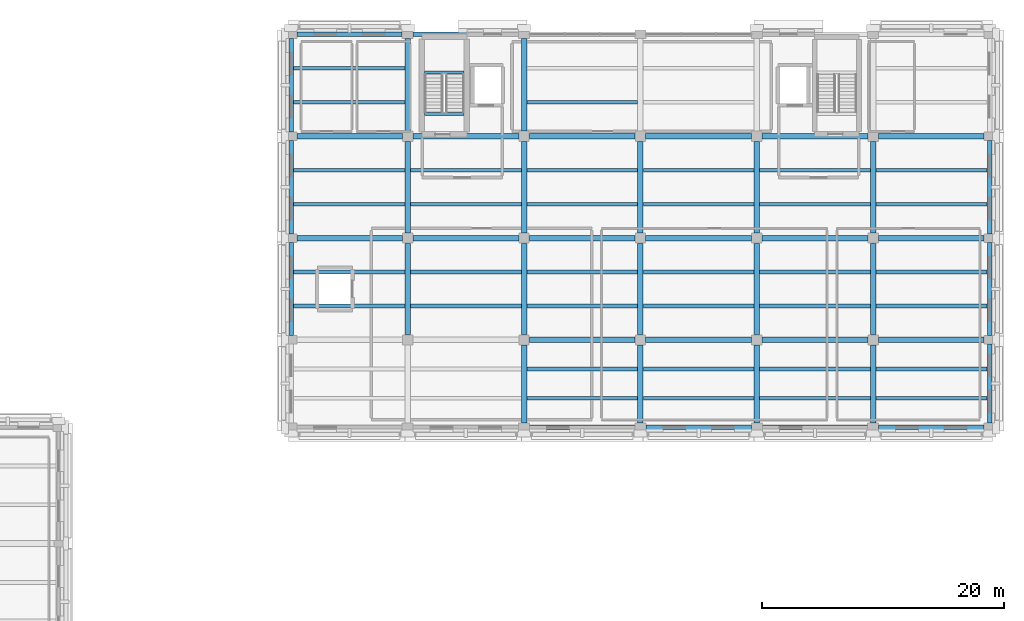
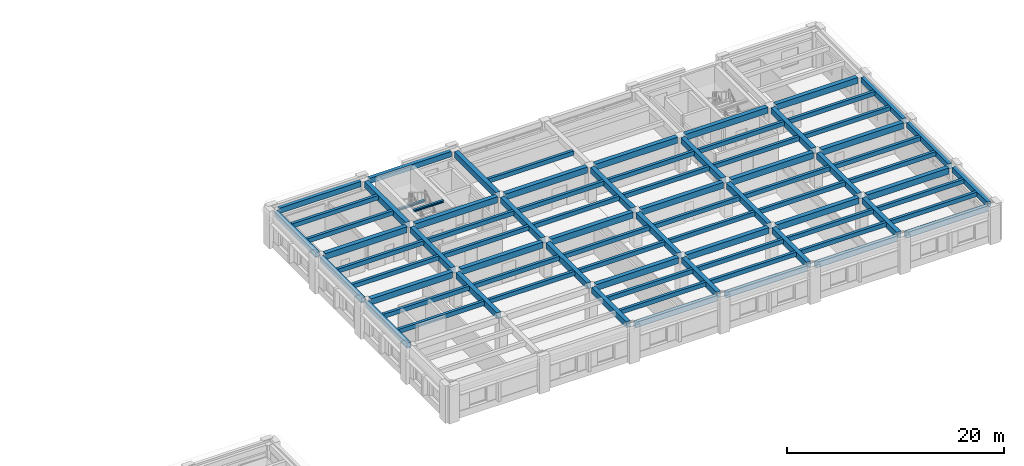
# One storey, part 3 of 17: 81 beams.
"""IFC4 building model written with IfcOpenShell, lengths in metres."""

import ifcopenshell
import ifcopenshell.guid

model = None  # the IFC model being written
_history = None  # IfcOwnerHistory: only IFC2X3 demands one
_inside = {}  # id of a spatial element -> (the spatial element, [elements in it])
_under = {}  # id of a project, library or spatial element -> (it, [spatial elements below it])
_declared = {}  # id of a project -> (the project, [libraries it declares])
_typed = {}  # id of a type object -> (the type object, [elements of that type])
_made_of = {}  # id of a material, layer set ... -> (it, [elements and type objects made of it])


def new_model(schema):
    """Start an empty IFC model of exactly this schema.

    Asked for "IFC4X3", IfcOpenShell would pick the latest addendum, in which some entities
    have other attributes; the version numbers below select the first issue.
    IFC2X3 requires an IfcOwnerHistory on every rooted entity: one is made here for all.
    """
    global model, _history
    if schema == "IFC4X3":
        model = ifcopenshell.file(schema_version=(4, 3, 0, 0))
    else:
        model = ifcopenshell.file(schema=schema)
    _inside.clear()
    _under.clear()
    _declared.clear()
    _typed.clear()
    _made_of.clear()
    _history = None
    if model.schema == "IFC2X3":
        org = make("IfcOrganization", Name="unknown")
        user = make(
            "IfcPersonAndOrganization",
            ThePerson=make("IfcPerson", FamilyName="unknown"),
            TheOrganization=org,
        )
        app = make(
            "IfcApplication",
            ApplicationDeveloper=org,
            Version="unknown",
            ApplicationFullName="unknown",
            ApplicationIdentifier="unknown",
        )
        _history = make(
            "IfcOwnerHistory",
            OwningUser=user,
            OwningApplication=app,
            ChangeAction="ADDED",
            CreationDate=0,
        )
    return model


def make(cls, **values):
    """One entity of the class cls with the attributes given. An attribute that is None is left unset."""
    return model.create_entity(
        cls, **{name: value for name, value in values.items() if value is not None}
    )


def rooted(cls, **values):
    """An entity with a GlobalId (a new one), such as an element, a storey or a relation."""
    return make(cls, GlobalId=ifcopenshell.guid.new(), OwnerHistory=_history, **values)


def si_unit(unit_type, name, prefix=None):
    """IfcSIUnit, for example si_unit("LENGTHUNIT", "METRE", prefix="MILLI")."""
    return make("IfcSIUnit", UnitType=unit_type, Prefix=prefix, Name=name)


def assignment(units):
    """IfcUnitAssignment: the units of a project."""
    return None if units is None else make("IfcUnitAssignment", Units=units)


def point(xyz):
    """IfcCartesianPoint."""
    return None if xyz is None else make("IfcCartesianPoint", Coordinates=xyz)


def direction(xyz):
    """IfcDirection."""
    return None if xyz is None else make("IfcDirection", DirectionRatios=xyz)


def frame(location, z_axis=None, x_axis=None):
    """IfcAxis2Placement3D, a coordinate frame: its origin and axes. An axis left out is left unset."""
    return make(
        "IfcAxis2Placement3D",
        Location=point(location),
        Axis=direction(z_axis),
        RefDirection=direction(x_axis),
    )


def frame_2d(location, x_axis=None):
    """IfcAxis2Placement2D, a coordinate frame in the plane: its origin and x axis."""
    return make(
        "IfcAxis2Placement2D", Location=point(location), RefDirection=direction(x_axis)
    )


def origin():
    """The frame at (0, 0, 0) with its axes left unset."""
    return frame((0.0, 0.0, 0.0))


def origin_2d():
    """The frame at (0, 0) in the plane with its x axis left unset."""
    return frame_2d((0.0, 0.0))


def place(relative_to, where):
    """IfcLocalPlacement: puts the frame where relative to a parent placement (None: the world)."""
    return make(
        "IfcLocalPlacement", PlacementRelTo=relative_to, RelativePlacement=where
    )


def context(
    kind, dimensions, precision=None, world=None, true_north=None, identifier=None
):
    """IfcGeometricRepresentationContext, for example the 3D "Model" context."""
    return make(
        "IfcGeometricRepresentationContext",
        ContextIdentifier=identifier,
        ContextType=kind,
        CoordinateSpaceDimension=dimensions,
        Precision=precision,
        WorldCoordinateSystem=world,
        TrueNorth=true_north,
    )


def subcontext(parent, identifier, kind, view, scale=None):
    """IfcGeometricRepresentationSubContext, for example "Body" below "Model"."""
    return make(
        "IfcGeometricRepresentationSubContext",
        ContextIdentifier=identifier,
        ContextType=kind,
        ParentContext=parent,
        TargetScale=scale,
        TargetView=view,
    )


def project(units=None, contexts=None):
    """IfcProject with its units and contexts."""
    return rooted(
        "IfcProject",
        Name="project",
        RepresentationContexts=contexts,
        UnitsInContext=assignment(units),
    )


def spatial(cls, under=None, at=None, **own):
    """A site, building, storey or space (cls), placed at a placement, below another one or the project."""
    s = rooted(cls, ObjectPlacement=at, **own)
    if under is not None:
        _under.setdefault(under.id(), (under, []))[1].append(s)
    return s


def profile(cls, at=None, kind="AREA", **sizes):
    """A parametric profile (cls). Its sizes go by their IFC names, for example OverallWidth=200.0."""
    return make(cls, ProfileType=kind, Position=at, **sizes)


def rectangle(**sizes):
    """IfcRectangleProfileDef."""
    return profile("IfcRectangleProfileDef", **sizes)


def i_section(**sizes):
    """IfcIShapeProfileDef."""
    return profile("IfcIShapeProfileDef", **sizes)


def extrude(swept, where, along, depth):
    """IfcExtrudedAreaSolid: the profile swept, set in the frame where, extruded along a direction by depth."""
    return make(
        "IfcExtrudedAreaSolid",
        SweptArea=swept,
        Position=where,
        ExtrudedDirection=direction(along),
        Depth=depth,
    )


def shape(context_of_items, identifier, shape_type, items):
    """IfcShapeRepresentation: the items that make up one representation, for example the "Body"."""
    return make(
        "IfcShapeRepresentation",
        ContextOfItems=context_of_items,
        RepresentationIdentifier=identifier,
        RepresentationType=shape_type,
        Items=items,
    )


def material(Name=None, Category=None):
    """IfcMaterial."""
    return make("IfcMaterial", Name=Name, Category=Category)


def material_profile(
    of_material, cross_section, Name=None, Category=None, Priority=None
):
    """IfcMaterialProfile: a cross section and its material."""
    return make(
        "IfcMaterialProfile",
        Name=Name,
        Material=of_material,
        Profile=cross_section,
        Priority=Priority,
        Category=Category,
    )


def profile_set(profiles, Name=None, composite=None):
    """IfcMaterialProfileSet."""
    return make(
        "IfcMaterialProfileSet",
        Name=Name,
        MaterialProfiles=profiles,
        CompositeProfile=composite,
    )


def made_of(thing, what):
    """Note that an element or type object is made of a material, layer set ...; save() writes the relation."""
    if what is not None:
        _made_of.setdefault(what.id(), (what, []))[1].append(thing)
    return thing


def type_object(cls, material=None, **own):
    """A type object (cls), such as IfcWallType, which elements share."""
    return made_of(rooted(cls, **own), material)


def element(
    cls,
    number,
    at=None,
    inside=None,
    cuts=None,
    type_object=None,
    material=None,
    context=None,
    identifier="Body",
    shape_type=None,
    held_by="IfcProductDefinitionShape",
    body=None,
    shapes=None,
    **own,
):
    """One element of the class cls, such as IfcWall. Its Tag is "e" and its number.

    at: its placement. inside: the storey or other place that contains it. cuts: it is an
    opening in that element (IfcRelVoidsElement). A single representation is given by context,
    identifier, shape_type and body (its items); several are given by shapes. held_by: the class
    of the entity that holds the representations. save() writes the other relations.
    """
    e = rooted(cls, Tag="e%d" % number, ObjectPlacement=at, **own)
    if body is not None:
        shapes = [shape(context, identifier, shape_type, body)]
    if shapes is not None:
        e.Representation = make(held_by, Representations=shapes)
    if inside is not None:
        _inside.setdefault(inside.id(), (inside, []))[1].append(e)
    if cuts is not None:
        rooted(
            "IfcRelVoidsElement", RelatingBuildingElement=cuts, RelatedOpeningElement=e
        )
    if type_object is not None:
        _typed.setdefault(type_object.id(), (type_object, []))[1].append(e)
    return made_of(e, material)


def aggregate(whole, parts):
    """IfcRelAggregates: a whole, such as a stair, and the parts it consists of."""
    return rooted("IfcRelAggregates", RelatingObject=whole, RelatedObjects=parts)


def save(model, path):
    """Write the relations noted so far, then the file.

    IfcRelAggregates (storeys below a building ...), IfcRelContainedInSpatialStructure (elements
    in a storey), IfcRelDefinesByType, IfcRelAssociatesMaterial and IfcRelDeclares: one each for
    every whole, place, type object, material and project.
    """
    for whole, parts in _under.values():
        aggregate(whole, parts)
    for where, things in _inside.values():
        rooted(
            "IfcRelContainedInSpatialStructure",
            RelatedElements=things,
            RelatingStructure=where,
        )
    for kind, things in _typed.values():
        rooted("IfcRelDefinesByType", RelatedObjects=things, RelatingType=kind)
    for what, things in _made_of.values():
        rooted("IfcRelAssociatesMaterial", RelatedObjects=things, RelatingMaterial=what)
    for by, libraries in _declared.values():
        rooted("IfcRelDeclares", RelatingContext=by, RelatedDefinitions=libraries)
    model.write(path)


model = new_model("IFC4")

# Units and contexts
model_context = context("Model", 3, precision=1e-05, world=origin(), true_north=direction((0.0, 1.0)))
body_context = subcontext(model_context, "Body", "Model", "MODEL_VIEW")
ifc_project = project(units=[si_unit("LENGTHUNIT", "METRE"), si_unit("AREAUNIT", "SQUARE_METRE"), si_unit("VOLUMEUNIT", "CUBIC_METRE"), si_unit("PLANEANGLEUNIT", "RADIAN"), si_unit("MASSUNIT", "GRAM", prefix="KILO")], contexts=[model_context])

# Site, building, storey
site_placement = place(None, origin())
site = spatial("IfcSite", under=ifc_project, at=site_placement, CompositionType="ELEMENT")
building_placement = place(site_placement, origin())
building = spatial("IfcBuilding", under=site, at=building_placement, Name="Bempovik Park Faculty of Sciences", CompositionType="ELEMENT")
storey_placement = place(building_placement, frame((0.0, 0.0, 22.5)))
storey = spatial("IfcBuildingStorey", under=building, at=storey_placement, Name="L05", CompositionType="ELEMENT", Elevation=22.5)

# Beams
ifc_material_1 = material(Name="Concrete C35/45", Category="concrete")
ifc_material_profile_1 = material_profile(ifc_material_1, rectangle(XDim=0.3798828125, YDim=0.60009765625, at=origin_2d()), Name="RC 380x600")
ifc_profile_set_1 = profile_set([ifc_material_profile_1], Name="Concrete C35/45")
beam_type_1 = type_object("IfcBeamType", Name="B-032 RC 380x600", PredefinedType="SPANDREL", material=ifc_profile_set_1)
for number, where, z_axis, x_axis, name in (
    (1, (79.656005859375, 87.0, 3.659912109375), (1.0, 0.0, 0.0), (0.0, 1.0, 0.0), "L05 Beam X (79.2-88.8, y=87.0)"),
    (2, (89.256103515625, 87.0, 3.659912109375), (1.0, 0.0, 0.0), (0.0, 1.0, 0.0), "L05 Beam X (88.8-98.4, y=87.0)"),
    (3, (98.85595703125, 87.0, 3.659912109375), (1.0, 0.0, 0.0), (0.0, 1.0, 0.0), "L05 Beam X (98.4-108.0, y=87.0)"),
    (4, (108.4560546875, 87.0, 3.679931640625), (1.0, 0.0, 0.0), (0.0, 1.0, 0.0), "L05 Beam X (108.0-117.6, y=87.0)"),
    (5, (60.4560546875, 119.39990234375, 3.6201171875), (1.0, 0.0, 0.0), (0.0, 1.0, 0.0), "L05 Beam X (60.0-69.6, y=119.4)"),
    (6, (70.055908203125, 119.39990234375, 3.6201171875), (1.0, 0.0, 0.0), (0.0, 1.0, 0.0), "L05 Beam X (69.6-79.2, y=119.4)"),
):
    element("IfcBeam", number, at=place(storey_placement, frame(where, z_axis=z_axis, x_axis=x_axis)), inside=storey, type_object=beam_type_1, Name=name, PredefinedType="SPANDREL", context=body_context, shape_type="SweptSolid", body=[
        extrude(rectangle(XDim=0.3798828125, YDim=0.60009765625, at=origin_2d()), origin(), (0.0, 0.0, 1.0), 8.68798828125),
    ])
for number, where, z_axis, x_axis, name in (
    (7, (60.0, 94.555908203125, 3.6201171875), (0.0, 1.0, 0.0), (-1.0, 0.0, 0.0), "L05 Beam Y (x=60.0, 94.2-102.6)"),
    (8, (60.0, 102.9560546875, 3.6201171875), (0.0, 1.0, 0.0), (-1.0, 0.0, 0.0), "L05 Beam Y (x=60.0, 102.6-111.0)"),
    (9, (60.0, 111.35595703125, 3.6201171875), (0.0, 1.0, 0.0), (-1.0, 0.0, 0.0), "L05 Beam Y (x=60.0, 111.0-119.4)"),
):
    element("IfcBeam", number, at=place(storey_placement, frame(where, z_axis=z_axis, x_axis=x_axis)), inside=storey, type_object=beam_type_1, Name=name, PredefinedType="SPANDREL", context=body_context, shape_type="SweptSolid", body=[
        extrude(rectangle(XDim=0.3798828125, YDim=0.60009765625, at=origin_2d()), origin(), (0.0, 0.0, 1.0), 7.68798828125),
    ])
beam_1_placement = place(storey_placement, frame((117.60009765625, 87.35595703125, 3.679931640625), z_axis=(0.0, 1.0, 0.0), x_axis=(-1.0, 0.0, 0.0)))
element("IfcBeam", 10, at=beam_1_placement, inside=storey, type_object=beam_type_1, Name="L05 Beam Y (x=117.6, 87.0-94.2)", PredefinedType="SPANDREL", context=body_context, shape_type="SweptSolid", body=[
    extrude(rectangle(XDim=0.3798828125, YDim=0.60009765625, at=origin_2d()), origin(), (0.0, 0.0, 1.0), 6.488037109375),
])
for number, where, z_axis, x_axis, name in (
    (11, (117.60009765625, 94.555908203125, 3.6201171875), (0.0, 1.0, 0.0), (-1.0, 0.0, 0.0), "L05 Beam Y (x=117.6, 94.2-102.6)"),
    (12, (117.60009765625, 102.9560546875, 3.6201171875), (0.0, 1.0, 0.0), (-1.0, 0.0, 0.0), "L05 Beam Y (x=117.6, 102.6-111.0)"),
):
    element("IfcBeam", number, at=place(storey_placement, frame(where, z_axis=z_axis, x_axis=x_axis)), inside=storey, type_object=beam_type_1, Name=name, PredefinedType="SPANDREL", context=body_context, shape_type="SweptSolid", body=[
        extrude(rectangle(XDim=0.3798828125, YDim=0.60009765625, at=origin_2d()), origin(), (0.0, 0.0, 1.0), 7.68798828125),
    ])
ifc_material_profile_2 = material_profile(ifc_material_1, rectangle(XDim=0.300048828125, YDim=0.47998046875, at=origin_2d()), Name="RC 300x480")
ifc_profile_set_2 = profile_set([ifc_material_profile_2], Name="Concrete C35/45")
beam_type_2 = type_object("IfcBeamType", Name="B-039 RC 300x480", PredefinedType="JOIST", material=ifc_profile_set_2)
for number, where, z_axis, x_axis, name in (
    (13, (60.196044921875, 97.0, 3.679931640625), (1.0, 0.0, 0.0), (0.0, 1.0, 0.0), "L05 Secondary Joist (60.0-69.6, y=97.00)"),
    (14, (60.196044921875, 99.800048828125, 3.679931640625), (1.0, 0.0, 0.0), (0.0, 1.0, 0.0), "L05 Secondary Joist (60.0-69.6, y=99.80)"),
    (15, (60.196044921875, 105.39990234375, 3.679931640625), (1.0, 0.0, 0.0), (0.0, 1.0, 0.0), "L05 Secondary Joist (60.0-69.6, y=105.40)"),
    (16, (60.196044921875, 108.199951171875, 3.679931640625), (1.0, 0.0, 0.0), (0.0, 1.0, 0.0), "L05 Secondary Joist (60.0-69.6, y=108.20)"),
    (17, (60.196044921875, 113.800048828125, 3.679931640625), (1.0, 0.0, 0.0), (0.0, 1.0, 0.0), "L05 Secondary Joist (60.0-69.6, y=113.80)"),
    (18, (60.196044921875, 116.60009765625, 3.679931640625), (1.0, 0.0, 0.0), (0.0, 1.0, 0.0), "L05 Secondary Joist (60.0-69.6, y=116.60)"),
):
    element("IfcBeam", number, at=place(storey_placement, frame(where, z_axis=z_axis, x_axis=x_axis)), inside=storey, type_object=beam_type_2, Name=name, PredefinedType="JOIST", context=body_context, shape_type="SweptSolid", body=[
        extrude(rectangle(XDim=0.300048828125, YDim=0.47998046875, at=origin_2d()), origin(), (0.0, 0.0, 1.0), 9.1728515625),
    ])
for number, where, z_axis, x_axis, name in (
    (19, (69.8310546875, 97.0, 3.679931640625), (1.0, 0.0, 0.0), (0.0, 1.0, 0.0), "L05 Secondary Joist (69.6-79.2, y=97.00)"),
    (20, (69.8310546875, 99.800048828125, 3.679931640625), (1.0, 0.0, 0.0), (0.0, 1.0, 0.0), "L05 Secondary Joist (69.6-79.2, y=99.80)"),
    (21, (69.8310546875, 105.39990234375, 3.679931640625), (1.0, 0.0, 0.0), (0.0, 1.0, 0.0), "L05 Secondary Joist (69.6-79.2, y=105.40)"),
    (22, (69.8310546875, 108.199951171875, 3.679931640625), (1.0, 0.0, 0.0), (0.0, 1.0, 0.0), "L05 Secondary Joist (69.6-79.2, y=108.20)"),
):
    element("IfcBeam", number, at=place(storey_placement, frame(where, z_axis=z_axis, x_axis=x_axis)), inside=storey, type_object=beam_type_2, Name=name, PredefinedType="JOIST", context=body_context, shape_type="SweptSolid", body=[
        extrude(rectangle(XDim=0.300048828125, YDim=0.47998046875, at=origin_2d()), origin(), (0.0, 0.0, 1.0), 9.137939453125),
    ])
for number, where, z_axis, x_axis, name in (
    (23, (79.430908203125, 89.39990234375, 3.719970703125), (1.0, 0.0, 0.0), (0.0, 1.0, 0.0), "L05 Secondary Joist (79.2-88.8, y=89.40)"),
    (24, (79.430908203125, 91.800048828125, 3.719970703125), (1.0, 0.0, 0.0), (0.0, 1.0, 0.0), "L05 Secondary Joist (79.2-88.8, y=91.80)"),
    (25, (79.430908203125, 97.0, 3.679931640625), (1.0, 0.0, 0.0), (0.0, 1.0, 0.0), "L05 Secondary Joist (79.2-88.8, y=97.00)"),
    (26, (79.430908203125, 99.800048828125, 3.679931640625), (1.0, 0.0, 0.0), (0.0, 1.0, 0.0), "L05 Secondary Joist (79.2-88.8, y=99.80)"),
    (27, (79.430908203125, 105.39990234375, 3.679931640625), (1.0, 0.0, 0.0), (0.0, 1.0, 0.0), "L05 Secondary Joist (79.2-88.8, y=105.40)"),
    (28, (79.430908203125, 108.199951171875, 3.679931640625), (1.0, 0.0, 0.0), (0.0, 1.0, 0.0), "L05 Secondary Joist (79.2-88.8, y=108.20)"),
    (29, (79.430908203125, 113.800048828125, 3.679931640625), (1.0, 0.0, 0.0), (0.0, 1.0, 0.0), "L05 Secondary Joist (79.2-88.8, y=113.80)"),
):
    element("IfcBeam", number, at=place(storey_placement, frame(where, z_axis=z_axis, x_axis=x_axis)), inside=storey, type_object=beam_type_2, Name=name, PredefinedType="JOIST", context=body_context, shape_type="SweptSolid", body=[
        extrude(rectangle(XDim=0.300048828125, YDim=0.47998046875, at=origin_2d()), origin(), (0.0, 0.0, 1.0), 9.13818359375),
    ])
for number, where, z_axis, x_axis, name in (
    (30, (89.031005859375, 89.39990234375, 3.719970703125), (1.0, 0.0, 0.0), (0.0, 1.0, 0.0), "L05 Secondary Joist (88.8-98.4, y=89.40)"),
    (31, (89.031005859375, 91.800048828125, 3.719970703125), (1.0, 0.0, 0.0), (0.0, 1.0, 0.0), "L05 Secondary Joist (88.8-98.4, y=91.80)"),
    (32, (89.031005859375, 97.0, 3.679931640625), (1.0, 0.0, 0.0), (0.0, 1.0, 0.0), "L05 Secondary Joist (88.8-98.4, y=97.00)"),
    (33, (89.031005859375, 99.800048828125, 3.679931640625), (1.0, 0.0, 0.0), (0.0, 1.0, 0.0), "L05 Secondary Joist (88.8-98.4, y=99.80)"),
    (34, (89.031005859375, 105.39990234375, 3.679931640625), (1.0, 0.0, 0.0), (0.0, 1.0, 0.0), "L05 Secondary Joist (88.8-98.4, y=105.40)"),
    (35, (89.031005859375, 108.199951171875, 3.679931640625), (1.0, 0.0, 0.0), (0.0, 1.0, 0.0), "L05 Secondary Joist (88.8-98.4, y=108.20)"),
    (36, (98.631103515625, 89.39990234375, 3.719970703125), (1.0, 0.0, 0.0), (0.0, 1.0, 0.0), "L05 Secondary Joist (98.4-108.0, y=89.40)"),
    (37, (98.631103515625, 91.800048828125, 3.719970703125), (1.0, 0.0, 0.0), (0.0, 1.0, 0.0), "L05 Secondary Joist (98.4-108.0, y=91.80)"),
    (38, (98.631103515625, 97.0, 3.679931640625), (1.0, 0.0, 0.0), (0.0, 1.0, 0.0), "L05 Secondary Joist (98.4-108.0, y=97.00)"),
    (39, (98.631103515625, 99.800048828125, 3.679931640625), (1.0, 0.0, 0.0), (0.0, 1.0, 0.0), "L05 Secondary Joist (98.4-108.0, y=99.80)"),
    (40, (98.631103515625, 105.39990234375, 3.679931640625), (1.0, 0.0, 0.0), (0.0, 1.0, 0.0), "L05 Secondary Joist (98.4-108.0, y=105.40)"),
    (41, (98.631103515625, 108.199951171875, 3.679931640625), (1.0, 0.0, 0.0), (0.0, 1.0, 0.0), "L05 Secondary Joist (98.4-108.0, y=108.20)"),
):
    element("IfcBeam", number, at=place(storey_placement, frame(where, z_axis=z_axis, x_axis=x_axis)), inside=storey, type_object=beam_type_2, Name=name, PredefinedType="JOIST", context=body_context, shape_type="SweptSolid", body=[
        extrude(rectangle(XDim=0.300048828125, YDim=0.47998046875, at=origin_2d()), origin(), (0.0, 0.0, 1.0), 9.137939453125),
    ])
for number, where, z_axis, x_axis, name in (
    (42, (108.23095703125, 89.39990234375, 3.739990234375), (1.0, 0.0, 0.0), (0.0, 1.0, 0.0), "L05 Secondary Joist (108.0-117.6, y=89.40)"),
    (43, (108.23095703125, 91.800048828125, 3.739990234375), (1.0, 0.0, 0.0), (0.0, 1.0, 0.0), "L05 Secondary Joist (108.0-117.6, y=91.80)"),
    (44, (108.23095703125, 97.0, 3.679931640625), (1.0, 0.0, 0.0), (0.0, 1.0, 0.0), "L05 Secondary Joist (108.0-117.6, y=97.00)"),
    (45, (108.23095703125, 99.800048828125, 3.679931640625), (1.0, 0.0, 0.0), (0.0, 1.0, 0.0), "L05 Secondary Joist (108.0-117.6, y=99.80)"),
    (46, (108.23095703125, 105.39990234375, 3.679931640625), (1.0, 0.0, 0.0), (0.0, 1.0, 0.0), "L05 Secondary Joist (108.0-117.6, y=105.40)"),
    (47, (108.23095703125, 108.199951171875, 3.679931640625), (1.0, 0.0, 0.0), (0.0, 1.0, 0.0), "L05 Secondary Joist (108.0-117.6, y=108.20)"),
):
    element("IfcBeam", number, at=place(storey_placement, frame(where, z_axis=z_axis, x_axis=x_axis)), inside=storey, type_object=beam_type_2, Name=name, PredefinedType="JOIST", context=body_context, shape_type="SweptSolid", body=[
        extrude(rectangle(XDim=0.300048828125, YDim=0.47998046875, at=origin_2d()), origin(), (0.0, 0.0, 1.0), 9.173095703125),
    ])
ifc_material_2 = material(Name="Steel S355", Category="steel")
ifc_material_profile_3 = material_profile(ifc_material_2, i_section(OverallWidth=0.239990234375, OverallDepth=0.22998046875, WebThickness=0.007568359375, FlangeThickness=0.011962890625, at=origin_2d()), Name="HEA 240")
ifc_profile_set_3 = profile_set([ifc_material_profile_3], Name="Steel S355")
beam_type_3 = type_object("IfcBeamType", Name="B-070 HEA 240", PredefinedType="BEAM", material=ifc_profile_set_3)
for number, where, z_axis, x_axis, name in (
    (48, (71.006103515625, 116.24365234375, 1.784912109375), (1.0, 0.0, 0.0), (0.0, 1.0, 0.0), "L05 ST-1 Half-Landing Trimmer Beam"),
    (49, (71.006103515625, 112.85009765625, 3.804931640625), (1.0, 0.0, 0.0), (0.0, 1.0, 0.0), "L06 ST-1 Floor Landing Trimmer Beam"),
):
    element("IfcBeam", number, at=place(storey_placement, frame(where, z_axis=z_axis, x_axis=x_axis)), inside=storey, type_object=beam_type_3, Name=name, PredefinedType="BEAM", context=body_context, shape_type="SweptSolid", body=[
        extrude(i_section(OverallWidth=0.239990234375, OverallDepth=0.22998046875, WebThickness=0.007568359375, FlangeThickness=0.011962890625, at=origin_2d()), origin(), (0.0, 0.0, 1.0), 3.23779296875),
    ])
ifc_material_profile_4 = material_profile(ifc_material_1, rectangle(XDim=0.449951171875, YDim=0.679931640625, at=origin_2d()), Name="RC 450x680")
ifc_profile_set_4 = profile_set([ifc_material_profile_4], Name="Concrete C35/45")
beam_type_4 = type_object("IfcBeamType", Name="B-113 RC 450x680", PredefinedType="BEAM", material=ifc_profile_set_4)
beam_2_placement = place(storey_placement, frame((79.631103515625, 94.199951171875, 3.580078125), z_axis=(1.0, 0.0, 0.0), x_axis=(0.0, 1.0, 0.0)))
element("IfcBeam", 50, at=beam_2_placement, inside=storey, type_object=beam_type_4, Name="L05 Beam X (79.2-88.8, y=94.2)", PredefinedType="BEAM", context=body_context, shape_type="SweptSolid", body=[
    extrude(rectangle(XDim=0.449951171875, YDim=0.679931640625, at=origin_2d()), origin(), (0.0, 0.0, 1.0), 8.73779296875),
])
for number, where, z_axis, x_axis, name in (
    (51, (89.23095703125, 94.199951171875, 3.580078125), (1.0, 0.0, 0.0), (0.0, 1.0, 0.0), "L05 Beam X (88.8-98.4, y=94.2)"),
    (52, (98.8310546875, 94.199951171875, 3.580078125), (1.0, 0.0, 0.0), (0.0, 1.0, 0.0), "L05 Beam X (98.4-108.0, y=94.2)"),
):
    element("IfcBeam", number, at=place(storey_placement, frame(where, z_axis=z_axis, x_axis=x_axis)), inside=storey, type_object=beam_type_4, Name=name, PredefinedType="BEAM", context=body_context, shape_type="SweptSolid", body=[
        extrude(rectangle(XDim=0.449951171875, YDim=0.679931640625, at=origin_2d()), origin(), (0.0, 0.0, 1.0), 8.738037109375),
    ])
beam_3_placement = place(storey_placement, frame((108.430908203125, 94.199951171875, 3.580078125), z_axis=(1.0, 0.0, 0.0), x_axis=(0.0, 1.0, 0.0)))
element("IfcBeam", 53, at=beam_3_placement, inside=storey, type_object=beam_type_4, Name="L05 Beam X (108.0-117.6, y=94.2)", PredefinedType="BEAM", context=body_context, shape_type="SweptSolid", body=[
    extrude(rectangle(XDim=0.449951171875, YDim=0.679931640625, at=origin_2d()), origin(), (0.0, 0.0, 1.0), 8.713134765625),
])
beam_4_placement = place(storey_placement, frame((60.4560546875, 102.60009765625, 3.580078125), z_axis=(1.0, 0.0, 0.0), x_axis=(0.0, 1.0, 0.0)))
element("IfcBeam", 54, at=beam_4_placement, inside=storey, type_object=beam_type_4, Name="L05 Beam X (60.0-69.6, y=102.6)", PredefinedType="BEAM", context=body_context, shape_type="SweptSolid", body=[
    extrude(rectangle(XDim=0.449951171875, YDim=0.679931640625, at=origin_2d()), origin(), (0.0, 0.0, 1.0), 8.712890625),
])
beam_5_placement = place(storey_placement, frame((70.031005859375, 102.60009765625, 3.580078125), z_axis=(1.0, 0.0, 0.0), x_axis=(0.0, 1.0, 0.0)))
element("IfcBeam", 55, at=beam_5_placement, inside=storey, type_object=beam_type_4, Name="L05 Beam X (69.6-79.2, y=102.6)", PredefinedType="BEAM", context=body_context, shape_type="SweptSolid", body=[
    extrude(rectangle(XDim=0.449951171875, YDim=0.679931640625, at=origin_2d()), origin(), (0.0, 0.0, 1.0), 8.738037109375),
])
beam_6_placement = place(storey_placement, frame((79.631103515625, 102.60009765625, 3.580078125), z_axis=(1.0, 0.0, 0.0), x_axis=(0.0, 1.0, 0.0)))
element("IfcBeam", 56, at=beam_6_placement, inside=storey, type_object=beam_type_4, Name="L05 Beam X (79.2-88.8, y=102.6)", PredefinedType="BEAM", context=body_context, shape_type="SweptSolid", body=[
    extrude(rectangle(XDim=0.449951171875, YDim=0.679931640625, at=origin_2d()), origin(), (0.0, 0.0, 1.0), 8.73779296875),
])
for number, where, z_axis, x_axis, name in (
    (57, (89.23095703125, 102.60009765625, 3.580078125), (1.0, 0.0, 0.0), (0.0, 1.0, 0.0), "L05 Beam X (88.8-98.4, y=102.6)"),
    (58, (98.8310546875, 102.60009765625, 3.580078125), (1.0, 0.0, 0.0), (0.0, 1.0, 0.0), "L05 Beam X (98.4-108.0, y=102.6)"),
):
    element("IfcBeam", number, at=place(storey_placement, frame(where, z_axis=z_axis, x_axis=x_axis)), inside=storey, type_object=beam_type_4, Name=name, PredefinedType="BEAM", context=body_context, shape_type="SweptSolid", body=[
        extrude(rectangle(XDim=0.449951171875, YDim=0.679931640625, at=origin_2d()), origin(), (0.0, 0.0, 1.0), 8.738037109375),
    ])
beam_7_placement = place(storey_placement, frame((108.430908203125, 102.60009765625, 3.580078125), z_axis=(1.0, 0.0, 0.0), x_axis=(0.0, 1.0, 0.0)))
element("IfcBeam", 59, at=beam_7_placement, inside=storey, type_object=beam_type_4, Name="L05 Beam X (108.0-117.6, y=102.6)", PredefinedType="BEAM", context=body_context, shape_type="SweptSolid", body=[
    extrude(rectangle(XDim=0.449951171875, YDim=0.679931640625, at=origin_2d()), origin(), (0.0, 0.0, 1.0), 8.713134765625),
])
beam_8_placement = place(storey_placement, frame((60.4560546875, 111.0, 3.580078125), z_axis=(1.0, 0.0, 0.0), x_axis=(0.0, 1.0, 0.0)))
element("IfcBeam", 60, at=beam_8_placement, inside=storey, type_object=beam_type_4, Name="L05 Beam X (60.0-69.6, y=111.0)", PredefinedType="BEAM", context=body_context, shape_type="SweptSolid", body=[
    extrude(rectangle(XDim=0.449951171875, YDim=0.679931640625, at=origin_2d()), origin(), (0.0, 0.0, 1.0), 8.712890625),
])
beam_9_placement = place(storey_placement, frame((70.031005859375, 111.0, 3.580078125), z_axis=(1.0, 0.0, 0.0), x_axis=(0.0, 1.0, 0.0)))
element("IfcBeam", 61, at=beam_9_placement, inside=storey, type_object=beam_type_4, Name="L05 Beam X (69.6-79.2, y=111.0)", PredefinedType="BEAM", context=body_context, shape_type="SweptSolid", body=[
    extrude(rectangle(XDim=0.449951171875, YDim=0.679931640625, at=origin_2d()), origin(), (0.0, 0.0, 1.0), 8.738037109375),
])
beam_10_placement = place(storey_placement, frame((79.631103515625, 111.0, 3.580078125), z_axis=(1.0, 0.0, 0.0), x_axis=(0.0, 1.0, 0.0)))
element("IfcBeam", 62, at=beam_10_placement, inside=storey, type_object=beam_type_4, Name="L05 Beam X (79.2-88.8, y=111.0)", PredefinedType="BEAM", context=body_context, shape_type="SweptSolid", body=[
    extrude(rectangle(XDim=0.449951171875, YDim=0.679931640625, at=origin_2d()), origin(), (0.0, 0.0, 1.0), 8.73779296875),
])
for number, where, z_axis, x_axis, name in (
    (63, (89.23095703125, 111.0, 3.580078125), (1.0, 0.0, 0.0), (0.0, 1.0, 0.0), "L05 Beam X (88.8-98.4, y=111.0)"),
    (64, (98.8310546875, 111.0, 3.580078125), (1.0, 0.0, 0.0), (0.0, 1.0, 0.0), "L05 Beam X (98.4-108.0, y=111.0)"),
):
    element("IfcBeam", number, at=place(storey_placement, frame(where, z_axis=z_axis, x_axis=x_axis)), inside=storey, type_object=beam_type_4, Name=name, PredefinedType="BEAM", context=body_context, shape_type="SweptSolid", body=[
        extrude(rectangle(XDim=0.449951171875, YDim=0.679931640625, at=origin_2d()), origin(), (0.0, 0.0, 1.0), 8.738037109375),
    ])
beam_11_placement = place(storey_placement, frame((108.430908203125, 111.0, 3.580078125), z_axis=(1.0, 0.0, 0.0), x_axis=(0.0, 1.0, 0.0)))
element("IfcBeam", 65, at=beam_11_placement, inside=storey, type_object=beam_type_4, Name="L05 Beam X (108.0-117.6, y=111.0)", PredefinedType="BEAM", context=body_context, shape_type="SweptSolid", body=[
    extrude(rectangle(XDim=0.449951171875, YDim=0.679931640625, at=origin_2d()), origin(), (0.0, 0.0, 1.0), 8.713134765625),
])
beam_12_placement = place(storey_placement, frame((69.60009765625, 94.631103515625, 3.580078125), z_axis=(0.0, 1.0, 0.0), x_axis=(-1.0, 0.0, 0.0)))
element("IfcBeam", 66, at=beam_12_placement, inside=storey, type_object=beam_type_4, Name="L05 Beam Y (x=69.6, 94.2-102.6)", PredefinedType="BEAM", context=body_context, shape_type="SweptSolid", body=[
    extrude(rectangle(XDim=0.449951171875, YDim=0.679931640625, at=origin_2d()), origin(), (0.0, 0.0, 1.0), 7.537841796875),
])
beam_13_placement = place(storey_placement, frame((69.60009765625, 103.031005859375, 3.580078125), z_axis=(0.0, 1.0, 0.0), x_axis=(-1.0, 0.0, 0.0)))
element("IfcBeam", 67, at=beam_13_placement, inside=storey, type_object=beam_type_4, Name="L05 Beam Y (x=69.6, 102.6-111.0)", PredefinedType="BEAM", context=body_context, shape_type="SweptSolid", body=[
    extrude(rectangle(XDim=0.449951171875, YDim=0.679931640625, at=origin_2d()), origin(), (0.0, 0.0, 1.0), 7.5380859375),
])
beam_14_placement = place(storey_placement, frame((69.60009765625, 111.430908203125, 3.580078125), z_axis=(0.0, 1.0, 0.0), x_axis=(-1.0, 0.0, 0.0)))
element("IfcBeam", 68, at=beam_14_placement, inside=storey, type_object=beam_type_4, Name="L05 Beam Y (x=69.6, 111.0-119.4)", PredefinedType="BEAM", context=body_context, shape_type="SweptSolid", body=[
    extrude(rectangle(XDim=0.449951171875, YDim=0.679931640625, at=origin_2d()), origin(), (0.0, 0.0, 1.0), 7.613037109375),
])
beam_15_placement = place(storey_placement, frame((79.199951171875, 87.35595703125, 3.6201171875), z_axis=(0.0, 1.0, 0.0), x_axis=(-1.0, 0.0, 0.0)))
element("IfcBeam", 69, at=beam_15_placement, inside=storey, type_object=beam_type_4, Name="L05 Beam Y (x=79.2, 87.0-94.2)", PredefinedType="BEAM", context=body_context, shape_type="SweptSolid", body=[
    extrude(rectangle(XDim=0.449951171875, YDim=0.679931640625, at=origin_2d()), origin(), (0.0, 0.0, 1.0), 6.4130859375),
])
beam_16_placement = place(storey_placement, frame((79.199951171875, 94.631103515625, 3.580078125), z_axis=(0.0, 1.0, 0.0), x_axis=(-1.0, 0.0, 0.0)))
element("IfcBeam", 70, at=beam_16_placement, inside=storey, type_object=beam_type_4, Name="L05 Beam Y (x=79.2, 94.2-102.6)", PredefinedType="BEAM", context=body_context, shape_type="SweptSolid", body=[
    extrude(rectangle(XDim=0.449951171875, YDim=0.679931640625, at=origin_2d()), origin(), (0.0, 0.0, 1.0), 7.537841796875),
])
beam_17_placement = place(storey_placement, frame((79.199951171875, 103.031005859375, 3.580078125), z_axis=(0.0, 1.0, 0.0), x_axis=(-1.0, 0.0, 0.0)))
element("IfcBeam", 71, at=beam_17_placement, inside=storey, type_object=beam_type_4, Name="L05 Beam Y (x=79.2, 102.6-111.0)", PredefinedType="BEAM", context=body_context, shape_type="SweptSolid", body=[
    extrude(rectangle(XDim=0.449951171875, YDim=0.679931640625, at=origin_2d()), origin(), (0.0, 0.0, 1.0), 7.5380859375),
])
beam_18_placement = place(storey_placement, frame((79.199951171875, 111.430908203125, 3.580078125), z_axis=(0.0, 1.0, 0.0), x_axis=(-1.0, 0.0, 0.0)))
element("IfcBeam", 72, at=beam_18_placement, inside=storey, type_object=beam_type_4, Name="L05 Beam Y (x=79.2, 111.0-119.4)", PredefinedType="BEAM", context=body_context, shape_type="SweptSolid", body=[
    extrude(rectangle(XDim=0.449951171875, YDim=0.679931640625, at=origin_2d()), origin(), (0.0, 0.0, 1.0), 7.613037109375),
])
beam_19_placement = place(storey_placement, frame((88.800048828125, 87.35595703125, 3.6201171875), z_axis=(0.0, 1.0, 0.0), x_axis=(-1.0, 0.0, 0.0)))
element("IfcBeam", 73, at=beam_19_placement, inside=storey, type_object=beam_type_4, Name="L05 Beam Y (x=88.8, 87.0-94.2)", PredefinedType="BEAM", context=body_context, shape_type="SweptSolid", body=[
    extrude(rectangle(XDim=0.449951171875, YDim=0.679931640625, at=origin_2d()), origin(), (0.0, 0.0, 1.0), 6.4130859375),
])
beam_20_placement = place(storey_placement, frame((88.800048828125, 94.631103515625, 3.580078125), z_axis=(0.0, 1.0, 0.0), x_axis=(-1.0, 0.0, 0.0)))
element("IfcBeam", 74, at=beam_20_placement, inside=storey, type_object=beam_type_4, Name="L05 Beam Y (x=88.8, 94.2-102.6)", PredefinedType="BEAM", context=body_context, shape_type="SweptSolid", body=[
    extrude(rectangle(XDim=0.449951171875, YDim=0.679931640625, at=origin_2d()), origin(), (0.0, 0.0, 1.0), 7.537841796875),
])
beam_21_placement = place(storey_placement, frame((88.800048828125, 103.031005859375, 3.580078125), z_axis=(0.0, 1.0, 0.0), x_axis=(-1.0, 0.0, 0.0)))
element("IfcBeam", 75, at=beam_21_placement, inside=storey, type_object=beam_type_4, Name="L05 Beam Y (x=88.8, 102.6-111.0)", PredefinedType="BEAM", context=body_context, shape_type="SweptSolid", body=[
    extrude(rectangle(XDim=0.449951171875, YDim=0.679931640625, at=origin_2d()), origin(), (0.0, 0.0, 1.0), 7.5380859375),
])
beam_22_placement = place(storey_placement, frame((98.39990234375, 87.35595703125, 3.6201171875), z_axis=(0.0, 1.0, 0.0), x_axis=(-1.0, 0.0, 0.0)))
element("IfcBeam", 76, at=beam_22_placement, inside=storey, type_object=beam_type_4, Name="L05 Beam Y (x=98.4, 87.0-94.2)", PredefinedType="BEAM", context=body_context, shape_type="SweptSolid", body=[
    extrude(rectangle(XDim=0.449951171875, YDim=0.679931640625, at=origin_2d()), origin(), (0.0, 0.0, 1.0), 6.4130859375),
])
beam_23_placement = place(storey_placement, frame((98.39990234375, 94.631103515625, 3.580078125), z_axis=(0.0, 1.0, 0.0), x_axis=(-1.0, 0.0, 0.0)))
element("IfcBeam", 77, at=beam_23_placement, inside=storey, type_object=beam_type_4, Name="L05 Beam Y (x=98.4, 94.2-102.6)", PredefinedType="BEAM", context=body_context, shape_type="SweptSolid", body=[
    extrude(rectangle(XDim=0.449951171875, YDim=0.679931640625, at=origin_2d()), origin(), (0.0, 0.0, 1.0), 7.537841796875),
])
beam_24_placement = place(storey_placement, frame((98.39990234375, 103.031005859375, 3.580078125), z_axis=(0.0, 1.0, 0.0), x_axis=(-1.0, 0.0, 0.0)))
element("IfcBeam", 78, at=beam_24_placement, inside=storey, type_object=beam_type_4, Name="L05 Beam Y (x=98.4, 102.6-111.0)", PredefinedType="BEAM", context=body_context, shape_type="SweptSolid", body=[
    extrude(rectangle(XDim=0.449951171875, YDim=0.679931640625, at=origin_2d()), origin(), (0.0, 0.0, 1.0), 7.5380859375),
])
beam_25_placement = place(storey_placement, frame((108.0, 87.35595703125, 3.6201171875), z_axis=(0.0, 1.0, 0.0), x_axis=(-1.0, 0.0, 0.0)))
element("IfcBeam", 79, at=beam_25_placement, inside=storey, type_object=beam_type_4, Name="L05 Beam Y (x=108.0, 87.0-94.2)", PredefinedType="BEAM", context=body_context, shape_type="SweptSolid", body=[
    extrude(rectangle(XDim=0.449951171875, YDim=0.679931640625, at=origin_2d()), origin(), (0.0, 0.0, 1.0), 6.4130859375),
])
beam_26_placement = place(storey_placement, frame((108.0, 94.631103515625, 3.580078125), z_axis=(0.0, 1.0, 0.0), x_axis=(-1.0, 0.0, 0.0)))
element("IfcBeam", 80, at=beam_26_placement, inside=storey, type_object=beam_type_4, Name="L05 Beam Y (x=108.0, 94.2-102.6)", PredefinedType="BEAM", context=body_context, shape_type="SweptSolid", body=[
    extrude(rectangle(XDim=0.449951171875, YDim=0.679931640625, at=origin_2d()), origin(), (0.0, 0.0, 1.0), 7.537841796875),
])
beam_27_placement = place(storey_placement, frame((108.0, 103.031005859375, 3.580078125), z_axis=(0.0, 1.0, 0.0), x_axis=(-1.0, 0.0, 0.0)))
element("IfcBeam", 81, at=beam_27_placement, inside=storey, type_object=beam_type_4, Name="L05 Beam Y (x=108.0, 102.6-111.0)", PredefinedType="BEAM", context=body_context, shape_type="SweptSolid", body=[
    extrude(rectangle(XDim=0.449951171875, YDim=0.679931640625, at=origin_2d()), origin(), (0.0, 0.0, 1.0), 7.5380859375),
])

save(model, "model.ifc")
